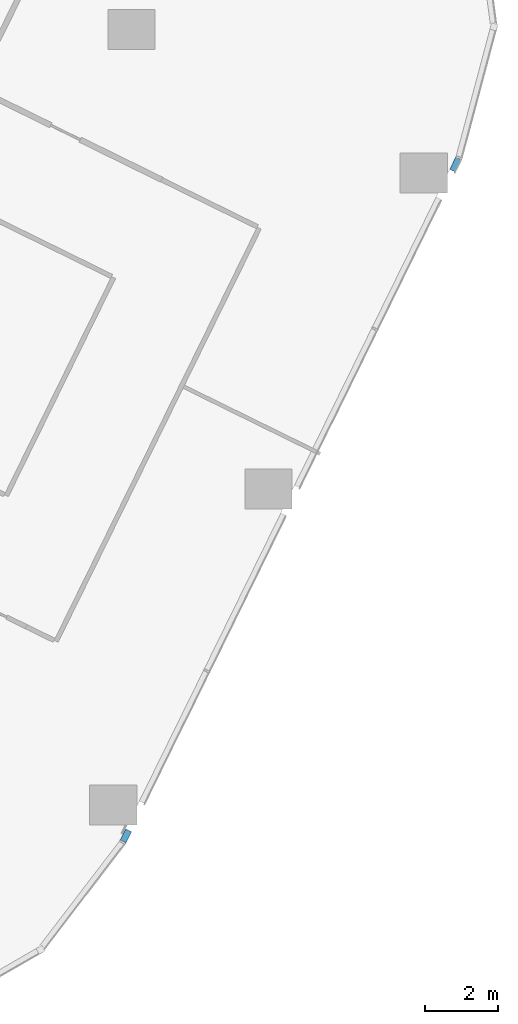
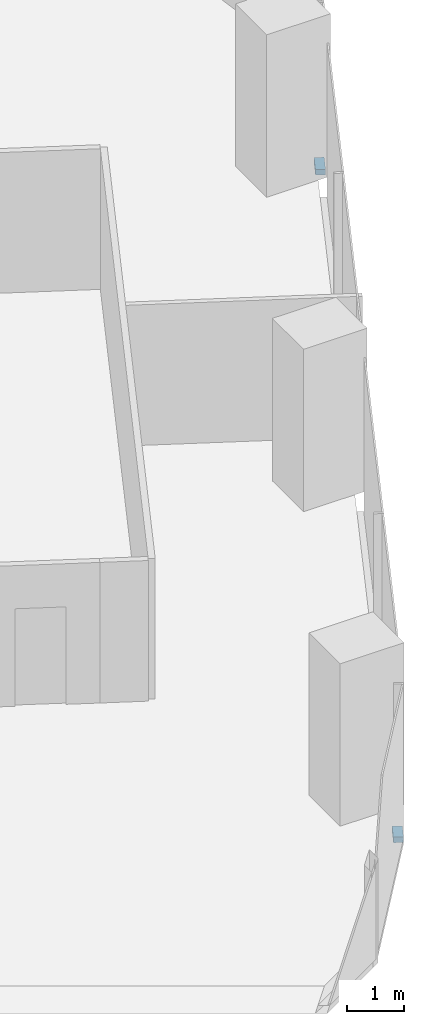
# One storey, part 17 of 38: 2 members, 1 element without a shape of its own.
"""IFC4 building model written with IfcOpenShell, lengths in metres."""

from ifc_helpers import new_model, si_unit, direction, frame, origin, origin_2d, place, context, subcontext, project, spatial, rectangle, extrude, material, material_profile, profile_set, type_object, element, aggregate, save


model = new_model("IFC4")

# Units and contexts
model_context = context("Model", 3, precision=1e-05, world=origin(), true_north=direction((0.0, 1.0)))
body_context = subcontext(model_context, "Body", "Model", "MODEL_VIEW")
ifc_project = project(units=[si_unit("LENGTHUNIT", "METRE"), si_unit("AREAUNIT", "SQUARE_METRE"), si_unit("VOLUMEUNIT", "CUBIC_METRE"), si_unit("PLANEANGLEUNIT", "RADIAN"), si_unit("MASSUNIT", "GRAM", prefix="KILO")], contexts=[model_context])

# Site, building, storey
site_placement = place(None, origin())
site = spatial("IfcSite", under=ifc_project, at=site_placement, CompositionType="ELEMENT")
building_placement = place(site_placement, origin())
building = spatial("IfcBuilding", under=site, at=building_placement, Name="Orlundy Tower", CompositionType="ELEMENT")
storey_placement = place(building_placement, frame((0.0, 0.0, 72.800048828125)))
storey = spatial("IfcBuildingStorey", under=building, at=storey_placement, Name="L17", CompositionType="ELEMENT", Elevation=72.800048828125)

# Curtain wall, members
ifc_material_1 = material(Name="Aluminium bronze anodised", Category="aluminium")
curtain_wall_type = type_object("IfcCurtainWallType", Name="CW1 wall", PredefinedType="NOTDEFINED", material=ifc_material_1)
curtain_wall_placement = place(storey_placement, origin())
curtain_wall = element("IfcCurtainWall", 1, at=curtain_wall_placement, inside=storey, type_object=curtain_wall_type, Name="CW1 run 023", PredefinedType="NOTDEFINED")
ifc_material_2 = material(Name="Aluminium bronze anodised", Category="aluminium")
ifc_material_profile = material_profile(ifc_material_2, rectangle(XDim=0.179931640625, YDim=0.1201171875, at=origin_2d()), Name="CW1 transom 180x120")
ifc_profile_set = profile_set([ifc_material_profile], Name="Aluminium bronze anodised")
member_type = type_object("IfcMemberType", Name="CW1 transom 180x120", PredefinedType="USERDEFINED", material=ifc_profile_set)
member_1_placement = place(storey_placement, frame((59.003662109375, -17.310302734375, -0.340087890625), z_axis=(-0.440922371346, -0.897545242562, 0.0), x_axis=(0.897545242562, -0.440922371346, 0.0)))
member_1 = element("IfcMember", 2, at=member_1_placement, type_object=member_type, Name="CW1 transom", ObjectType="TRANSOM", PredefinedType="USERDEFINED", context=body_context, shape_type="SweptSolid", body=[
    extrude(rectangle(XDim=0.179931640625, YDim=0.1201171875, at=origin_2d()), origin(), (0.0, 0.0, 1.0), 0.373291015625),
])
member_2_placement = place(storey_placement, frame((49.907958984375, -35.821044921875, -0.340087890625), z_axis=(-0.441498536709, -0.897261969596, 0.0), x_axis=(0.897261969596, -0.441498536709, 0.0)))
member_2 = element("IfcMember", 3, at=member_2_placement, type_object=member_type, Name="CW1 transom", ObjectType="TRANSOM", PredefinedType="USERDEFINED", context=body_context, shape_type="SweptSolid", body=[
    extrude(rectangle(XDim=0.179931640625, YDim=0.1201171875, at=origin_2d()), origin(), (0.0, 0.0, 1.0), 0.34228515625),
])
aggregate(curtain_wall, [member_1, member_2])

save(model, "model.ifc")
